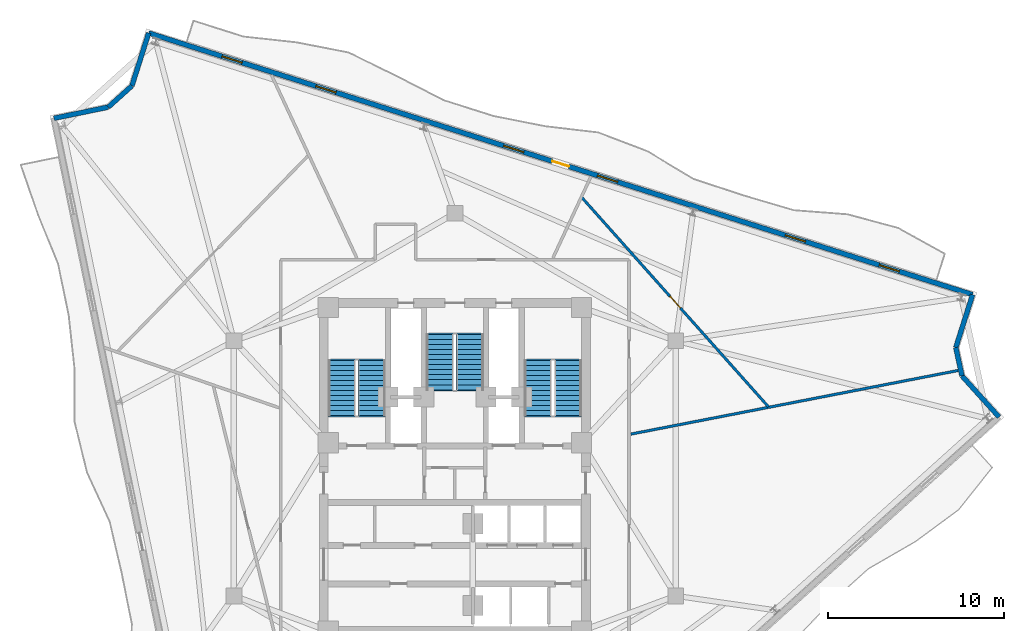
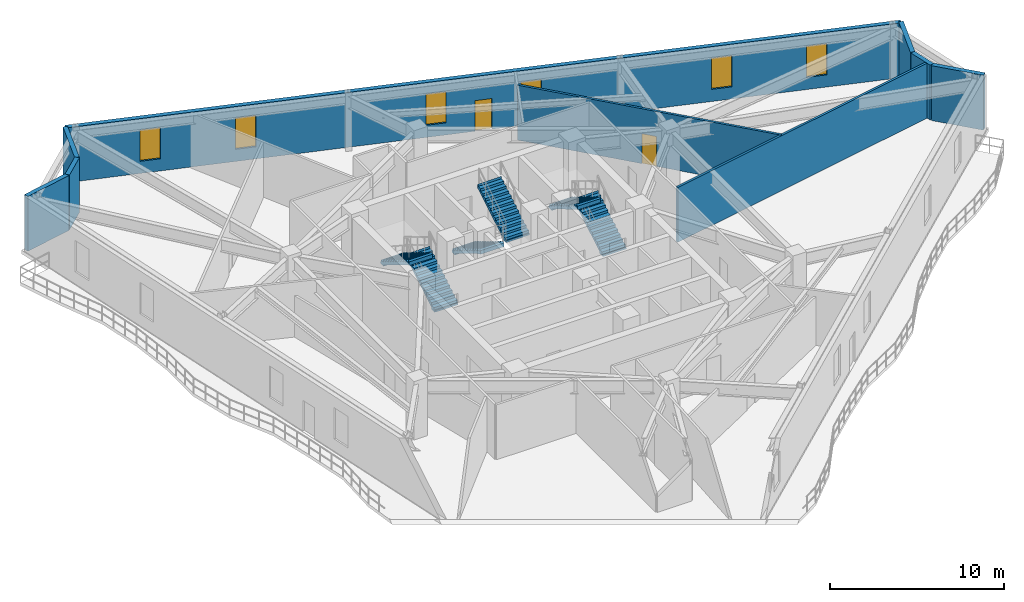
# One storey, part 8 of 12: 9 walls, 6 stair flights, 6 windows, 2 doors, 8 openings, 3 elements without a shape of their own.
"""IFC4 building model written with IfcOpenShell, lengths in metres."""

from ifc_helpers import new_model, si_unit, direction, frame, frame_2d, origin, place, context, subcontext, project, spatial, polyline, rectangle, outline, extrude, material, layer, layer_set, type_object, element, fill, aggregate, save


model = new_model("IFC4")

# Units and contexts
model_context = context("Model", 3, precision=1e-05, world=origin(), true_north=direction((0.0, 1.0)))
body_context = subcontext(model_context, "Body", "Model", "MODEL_VIEW")
ifc_project = project(units=[si_unit("LENGTHUNIT", "METRE"), si_unit("AREAUNIT", "SQUARE_METRE"), si_unit("VOLUMEUNIT", "CUBIC_METRE"), si_unit("PLANEANGLEUNIT", "RADIAN"), si_unit("MASSUNIT", "GRAM", prefix="KILO")], contexts=[model_context])

# Site, building, storey
site_placement = place(None, origin())
site = spatial("IfcSite", under=ifc_project, at=site_placement, CompositionType="ELEMENT")
building_placement = place(site_placement, origin())
building = spatial("IfcBuilding", under=site, at=building_placement, Name="Apsidion Concourse Tower", CompositionType="ELEMENT")
storey_placement = place(building_placement, frame((0.0, 0.0, 248.60009765625)))
storey = spatial("IfcBuildingStorey", under=building, at=storey_placement, Name="L58", CompositionType="ELEMENT", Elevation=248.60009765625)

# Wall, openings, door, windows
ifc_material_1 = material(Name="Precast concrete C40/50", Category="concrete")
ifc_layer_1 = layer(ifc_material_1, 0.280029296875)
ifc_layer_set_1 = layer_set([ifc_layer_1], Name="Precast concrete C40/50")
wall_type_1 = type_object("IfcWallType", Name="WL-EXT-280", PredefinedType="STANDARD", material=ifc_layer_set_1)
wall_1_placement = place(storey_placement, frame((-17.4072265625, 24.74755859375, 0.0), z_axis=(0.0, 0.0, 1.0), x_axis=(0.953082756031, -0.302709861346, 0.0)))
wall_1 = element("IfcWall", 1, at=wall_1_placement, inside=storey, type_object=wall_type_1, Name="L58 Precast Stone Facade Wall 01", PredefinedType="STANDARD", context=body_context, shape_type="SweptSolid", body=[
    extrude(rectangle(XDim=49.14501953125, YDim=0.280029296875, at=frame_2d((24.572509765625, 0.0))), origin(), (0.0, 0.0, 1.0), 3.849853515625),
])
opening_1_placement = place(wall_1_placement, frame((24.072509765625, 0.0, 0.0)))
opening_1 = element("IfcOpeningElement", 2, at=opening_1_placement, cuts=wall_1, Name="Opening D-T1L", PredefinedType="OPENING", context=body_context, shape_type="SweptSolid", body=[
    extrude(rectangle(XDim=1.0, YDim=2.14990234375, at=frame_2d((0.5, 1.074951171875))), frame((0.0, 0.14990234375, 0.0), z_axis=(0.0, -1.0, 0.0), x_axis=(1.0, 0.0, 0.0)), (0.0, 0.0, 1.0), 0.300048828125),
])
opening_2_placement = place(wall_1_placement, frame((4.37255859375, 0.0, 0.85009765625)))
opening_2 = element("IfcOpeningElement", 3, at=opening_2_placement, cuts=wall_1, Name="Opening WN-06", PredefinedType="OPENING", context=body_context, shape_type="SweptSolid", body=[
    extrude(rectangle(XDim=1.199951171875, YDim=2.199951171875, at=frame_2d((0.60009765625, 1.10009765625))), frame((0.0, 0.14990234375, 0.0), z_axis=(0.0, -1.0, 0.0), x_axis=(1.0, 0.0, 0.0)), (0.0, 0.0, 1.0), 0.300048828125),
])
opening_3_placement = place(wall_1_placement, frame((9.97265625, 0.0, 0.85009765625)))
opening_3 = element("IfcOpeningElement", 4, at=opening_3_placement, cuts=wall_1, Name="Opening WN-06", PredefinedType="OPENING", context=body_context, shape_type="SweptSolid", body=[
    extrude(rectangle(XDim=1.199951171875, YDim=2.199951171875, at=frame_2d((0.60009765625, 1.10009765625))), frame((0.0, 0.14990234375, 0.0), z_axis=(0.0, -1.0, 0.0), x_axis=(1.0, 0.0, 0.0)), (0.0, 0.0, 1.0), 0.300048828125),
])
opening_4_placement = place(wall_1_placement, frame((21.172607421875, 0.0, 0.85009765625)))
opening_4 = element("IfcOpeningElement", 5, at=opening_4_placement, cuts=wall_1, Name="Opening WN-06", PredefinedType="OPENING", context=body_context, shape_type="SweptSolid", body=[
    extrude(rectangle(XDim=1.199951171875, YDim=2.199951171875, at=frame_2d((0.60009765625, 1.10009765625))), frame((0.0, 0.14990234375, 0.0), z_axis=(0.0, -1.0, 0.0), x_axis=(1.0, 0.0, 0.0)), (0.0, 0.0, 1.0), 0.300048828125),
])
opening_5_placement = place(wall_1_placement, frame((26.772705078125, 0.0, 0.85009765625)))
opening_5 = element("IfcOpeningElement", 6, at=opening_5_placement, cuts=wall_1, Name="Opening WN-06", PredefinedType="OPENING", context=body_context, shape_type="SweptSolid", body=[
    extrude(rectangle(XDim=1.199951171875, YDim=2.199951171875, at=frame_2d((0.60009765625, 1.10009765625))), frame((0.0, 0.14990234375, 0.0), z_axis=(0.0, -1.0, 0.0), x_axis=(1.0, 0.0, 0.0)), (0.0, 0.0, 1.0), 0.300048828125),
])
opening_6_placement = place(wall_1_placement, frame((37.97265625, 0.0, 0.85009765625)))
opening_6 = element("IfcOpeningElement", 7, at=opening_6_placement, cuts=wall_1, Name="Opening WN-06", PredefinedType="OPENING", context=body_context, shape_type="SweptSolid", body=[
    extrude(rectangle(XDim=1.199951171875, YDim=2.199951171875, at=frame_2d((0.60009765625, 1.10009765625))), frame((0.0, 0.14990234375, 0.0), z_axis=(0.0, -1.0, 0.0), x_axis=(1.0, 0.0, 0.0)), (0.0, 0.0, 1.0), 0.300048828125),
])
opening_7_placement = place(wall_1_placement, frame((43.572509765625, 0.0, 0.85009765625)))
opening_7 = element("IfcOpeningElement", 8, at=opening_7_placement, cuts=wall_1, Name="Opening WN-06", PredefinedType="OPENING", context=body_context, shape_type="SweptSolid", body=[
    extrude(rectangle(XDim=1.199951171875, YDim=2.199951171875, at=frame_2d((0.60009765625, 1.10009765625))), frame((0.0, 0.14990234375, 0.0), z_axis=(0.0, -1.0, 0.0), x_axis=(1.0, 0.0, 0.0)), (0.0, 0.0, 1.0), 0.300048828125),
])
ifc_material_2 = material(Name="Anodised aluminium EN AW-6063 T6", Category="aluminium")
door_type_1 = type_object("IfcDoorType", Name="DR-TER-1022L", OperationType="SINGLE_SWING_LEFT", PredefinedType="DOOR", material=ifc_material_2)
door_1_placement = place(opening_1_placement, origin())
door_1 = element("IfcDoor", 9, at=door_1_placement, inside=storey, type_object=door_type_1, Name="L58 Balcony Access Door 3", OperationType="SINGLE_SWING_LEFT", OverallHeight=2.14990234375, OverallWidth=1.0, PredefinedType="DOOR", context=body_context, shape_type="SweptSolid", body=[
    extrude(rectangle(XDim=1.0, YDim=2.14990234375, at=frame_2d((0.5, 1.074951171875))), frame((0.0, 0.02490234375, 0.0), z_axis=(0.0, -1.0, 0.0), x_axis=(1.0, 0.0, 0.0)), (0.0, 0.0, 1.0), 0.050048828125),
])
fill(opening_1, door_1)
ifc_material_3 = material(Name="Insulated laminated low-E glass", Category="glass")
window_type = type_object("IfcWindowType", Name="WN-OFF-1224", PartitioningType="SINGLE_PANEL", PredefinedType="WINDOW", material=ifc_material_3)
window_1_placement = place(opening_2_placement, origin())
window_1 = element("IfcWindow", 10, at=window_1_placement, inside=storey, type_object=window_type, Name="L58 Punched Facade Window 1-01", OverallHeight=2.199951171875, OverallWidth=1.199951171875, PartitioningType="SINGLE_PANEL", PredefinedType="WINDOW", context=body_context, shape_type="SweptSolid", body=[
    extrude(rectangle(XDim=1.199951171875, YDim=2.199951171875, at=frame_2d((0.60009765625, 1.10009765625))), frame((0.0, 0.030029296875, 0.0), z_axis=(0.0, -1.0, 0.0), x_axis=(1.0, 0.0, 0.0)), (0.0, 0.0, 1.0), 0.06005859375),
])
fill(opening_2, window_1)
window_2_placement = place(opening_3_placement, origin())
window_2 = element("IfcWindow", 11, at=window_2_placement, inside=storey, type_object=window_type, Name="L58 Punched Facade Window 1-02", OverallHeight=2.199951171875, OverallWidth=1.199951171875, PartitioningType="SINGLE_PANEL", PredefinedType="WINDOW", context=body_context, shape_type="SweptSolid", body=[
    extrude(rectangle(XDim=1.199951171875, YDim=2.199951171875, at=frame_2d((0.60009765625, 1.10009765625))), frame((0.0, 0.030029296875, 0.0), z_axis=(0.0, -1.0, 0.0), x_axis=(1.0, 0.0, 0.0)), (0.0, 0.0, 1.0), 0.06005859375),
])
fill(opening_3, window_2)
window_3_placement = place(opening_4_placement, origin())
window_3 = element("IfcWindow", 12, at=window_3_placement, inside=storey, type_object=window_type, Name="L58 Punched Facade Window 1-04", OverallHeight=2.199951171875, OverallWidth=1.199951171875, PartitioningType="SINGLE_PANEL", PredefinedType="WINDOW", context=body_context, shape_type="SweptSolid", body=[
    extrude(rectangle(XDim=1.199951171875, YDim=2.199951171875, at=frame_2d((0.60009765625, 1.10009765625))), frame((0.0, 0.030029296875, 0.0), z_axis=(0.0, -1.0, 0.0), x_axis=(1.0, 0.0, 0.0)), (0.0, 0.0, 1.0), 0.06005859375),
])
fill(opening_4, window_3)
window_4_placement = place(opening_5_placement, origin())
window_4 = element("IfcWindow", 13, at=window_4_placement, inside=storey, type_object=window_type, Name="L58 Punched Facade Window 1-05", OverallHeight=2.199951171875, OverallWidth=1.199951171875, PartitioningType="SINGLE_PANEL", PredefinedType="WINDOW", context=body_context, shape_type="SweptSolid", body=[
    extrude(rectangle(XDim=1.199951171875, YDim=2.199951171875, at=frame_2d((0.60009765625, 1.10009765625))), frame((0.0, 0.030029296875, 0.0), z_axis=(0.0, -1.0, 0.0), x_axis=(1.0, 0.0, 0.0)), (0.0, 0.0, 1.0), 0.06005859375),
])
fill(opening_5, window_4)
window_5_placement = place(opening_6_placement, origin())
window_5 = element("IfcWindow", 14, at=window_5_placement, inside=storey, type_object=window_type, Name="L58 Punched Facade Window 1-07", OverallHeight=2.199951171875, OverallWidth=1.199951171875, PartitioningType="SINGLE_PANEL", PredefinedType="WINDOW", context=body_context, shape_type="SweptSolid", body=[
    extrude(rectangle(XDim=1.199951171875, YDim=2.199951171875, at=frame_2d((0.60009765625, 1.10009765625))), frame((0.0, 0.030029296875, 0.0), z_axis=(0.0, -1.0, 0.0), x_axis=(1.0, 0.0, 0.0)), (0.0, 0.0, 1.0), 0.06005859375),
])
fill(opening_6, window_5)
window_6_placement = place(opening_7_placement, origin())
window_6 = element("IfcWindow", 15, at=window_6_placement, inside=storey, type_object=window_type, Name="L58 Punched Facade Window 1-08", OverallHeight=2.199951171875, OverallWidth=1.199951171875, PartitioningType="SINGLE_PANEL", PredefinedType="WINDOW", context=body_context, shape_type="SweptSolid", body=[
    extrude(rectangle(XDim=1.199951171875, YDim=2.199951171875, at=frame_2d((0.60009765625, 1.10009765625))), frame((0.0, 0.030029296875, 0.0), z_axis=(0.0, -1.0, 0.0), x_axis=(1.0, 0.0, 0.0)), (0.0, 0.0, 1.0), 0.06005859375),
])
fill(opening_7, window_6)

# Walls
wall_2_placement = place(storey_placement, frame((29.43212890625, 9.870849609375, 0.0), z_axis=(0.0, 0.0, 1.0), x_axis=(-0.30264059672, -0.953104752489, 0.0)))
element("IfcWall", 16, at=wall_2_placement, inside=storey, type_object=wall_type_1, Name="L58 Precast Stone Facade Wall 02", PredefinedType="STANDARD", context=body_context, shape_type="SweptSolid", body=[
    extrude(rectangle(XDim=3.150146484375, YDim=0.280029296875, at=frame_2d((1.5751953125, 0.0))), origin(), (0.0, 0.0, 1.0), 3.849853515625),
])
wall_3_placement = place(storey_placement, frame((28.478759765625, 6.868408203125, 0.0), z_axis=(0.0, 0.0, 1.0), x_axis=(0.211126358094, -0.977458777094, 0.0)))
element("IfcWall", 17, at=wall_3_placement, inside=storey, type_object=wall_type_1, Name="L58 Precast Stone Facade Wall 03", PredefinedType="STANDARD", context=body_context, shape_type="SweptSolid", body=[
    extrude(rectangle(XDim=1.64892578125, YDim=0.280029296875, at=frame_2d((0.824462890625, 0.0))), origin(), (0.0, 0.0, 1.0), 3.849853515625),
])
wall_4_placement = place(storey_placement, frame((28.826904296875, 5.256591796875, 0.0), z_axis=(0.0, 0.0, 1.0), x_axis=(0.669127439782, -0.743147676663, 0.0)))
element("IfcWall", 18, at=wall_4_placement, inside=storey, type_object=wall_type_1, Name="L58 Precast Stone Facade Wall 04", PredefinedType="STANDARD", context=body_context, shape_type="SweptSolid", body=[
    extrude(rectangle(XDim=3.14990234375, YDim=0.280029296875, at=frame_2d((1.574951171875, 0.0))), origin(), (0.0, 0.0, 1.0), 3.849853515625),
])
wall_5_placement = place(storey_placement, frame((-22.79248046875, 19.898681640625, 0.0), z_axis=(0.0, 0.0, 1.0), x_axis=(0.979502474011, 0.201432131016, 0.0)))
element("IfcWall", 19, at=wall_5_placement, inside=storey, type_object=wall_type_1, Name="L58 Precast Stone Facade Wall 10", PredefinedType="STANDARD", context=body_context, shape_type="SweptSolid", body=[
    extrude(rectangle(XDim=3.1513671875, YDim=0.280029296875, at=frame_2d((1.57568359375, 0.0))), origin(), (0.0, 0.0, 1.0), 3.849853515625),
])
wall_6_placement = place(storey_placement, frame((-19.705810546875, 20.533447265625, 0.0), z_axis=(0.0, 0.0, 1.0), x_axis=(0.743173371482, 0.669098901449, 0.0)))
element("IfcWall", 20, at=wall_6_placement, inside=storey, type_object=wall_type_1, Name="L58 Precast Stone Facade Wall 11", PredefinedType="STANDARD", context=body_context, shape_type="SweptSolid", body=[
    extrude(rectangle(XDim=1.809326171875, YDim=0.280029296875, at=frame_2d((0.90478515625, 0.0))), origin(), (0.0, 0.0, 1.0), 3.849853515625),
])
wall_7_placement = place(storey_placement, frame((-18.361083984375, 21.744140625, 0.0), z_axis=(0.0, 0.0, 1.0), x_axis=(0.302691963624, 0.953088440365, 0.0)))
element("IfcWall", 21, at=wall_7_placement, inside=storey, type_object=wall_type_1, Name="L58 Precast Stone Facade Wall 12", PredefinedType="STANDARD", context=body_context, shape_type="SweptSolid", body=[
    extrude(rectangle(XDim=3.1513671875, YDim=0.280029296875, at=frame_2d((1.57568359375, 0.0))), origin(), (0.0, 0.0, 1.0), 3.849853515625),
])
ifc_material_4 = material(Name="Gypsum plasterboard partition")
ifc_layer_2 = layer(ifc_material_4, 0.14990234375)
ifc_layer_set_2 = layer_set([ifc_layer_2], Name="Gypsum plasterboard partition")
wall_type_2 = type_object("IfcWallType", Name="WL-INT-PAR-150", PredefinedType="PARTITIONING", material=ifc_layer_set_2)
wall_8_placement = place(storey_placement, frame((10.0048828125, 1.94482421875, 0.0), z_axis=(0.0, 0.0, 1.0), x_axis=(0.981627928787, 0.190805160896, 0.0)))
element("IfcWall", 22, at=wall_8_placement, inside=storey, type_object=wall_type_2, Name="L58 Interior Partition WL-L58-RAD-01-1", PredefinedType="PARTITIONING", context=body_context, shape_type="SweptSolid", body=[
    extrude(rectangle(XDim=18.946044921875, YDim=0.14990234375, at=frame_2d((9.47314453125, 0.0))), origin(), (0.0, 0.0, 1.0), 3.849853515625),
])

# Wall, opening, door
wall_9_placement = place(storey_placement, frame((17.830322265625, 3.4912109375, 0.0), z_axis=(0.0, 0.0, 1.0), x_axis=(-0.665420932844, 0.746468339672, 0.0)))
wall_9 = element("IfcWall", 23, at=wall_9_placement, inside=storey, type_object=wall_type_2, Name="L58 Interior Partition WL-L58-CHD-OFS04", PredefinedType="PARTITIONING", context=body_context, shape_type="SweptSolid", body=[
    extrude(rectangle(XDim=15.959228515625, YDim=0.14990234375, at=frame_2d((7.9794921875, 0.0))), origin(), (0.0, 0.0, 1.0), 3.849853515625),
])
opening_8_placement = place(wall_9_placement, frame((7.529541015625, 0.0, 0.0)))
opening_8 = element("IfcOpeningElement", 24, at=opening_8_placement, cuts=wall_9, Name="Opening D-02L", PredefinedType="OPENING", context=body_context, shape_type="SweptSolid", body=[
    extrude(rectangle(XDim=0.89990234375, YDim=2.10009765625, at=frame_2d((0.449951171875, 1.050048828125))), frame((0.0, 0.0849609375, 0.0), z_axis=(0.0, -1.0, 0.0), x_axis=(1.0, 0.0, 0.0)), (0.0, 0.0, 1.0), 0.169921875),
])
door_type_2 = type_object("IfcDoorType", Name="DR-INT-D02L", OperationType="SINGLE_SWING_LEFT", PredefinedType="DOOR", material=ifc_material_2)
door_2_placement = place(opening_8_placement, origin())
door_2 = element("IfcDoor", 25, at=door_2_placement, inside=storey, type_object=door_type_2, Name="L58 Suite Connecting Door OFS04", OperationType="SINGLE_SWING_LEFT", OverallHeight=2.10009765625, OverallWidth=0.89990234375, PredefinedType="DOOR", context=body_context, shape_type="SweptSolid", body=[
    extrude(rectangle(XDim=0.89990234375, YDim=2.10009765625, at=frame_2d((0.449951171875, 1.050048828125))), frame((0.0, 0.02490234375, 0.0), z_axis=(0.0, -1.0, 0.0), x_axis=(1.0, 0.0, 0.0)), (0.0, 0.0, 1.0), 0.050048828125),
])
fill(opening_8, door_2)

# Stair, stair flights
stair_type = type_object("IfcStairType", Name="ST-DL-1550", PredefinedType="HALF_TURN_STAIR", material=ifc_material_1)
stair_1_placement = place(storey_placement, origin())
stair_1 = element("IfcStair", 26, at=stair_1_placement, inside=storey, type_object=stair_type, Name="L58 Protected Core Exit Stair ST1", PredefinedType="HALF_TURN_STAIR")
stair_flight_type = type_object("IfcStairFlightType", Name="SFL-RC-1550", PredefinedType="STRAIGHT", material=ifc_material_1)
stair_flight_1_placement = place(storey_placement, frame((-4.72509765625, 3.0, 0.0), z_axis=(0.0, 0.0, 1.0), x_axis=(0.0, 1.0, 0.0)))
stair_flight_1 = element("IfcStairFlight", 27, at=stair_flight_1_placement, type_object=stair_flight_type, Name="ST1 flight 1", NumberOfRisers=12, NumberOfTreads=11, PredefinedType="STRAIGHT", RiserHeight=0.170833333, TreadLength=0.285, context=body_context, shape_type="SweptSolid", body=[
    extrude(outline(polyline([(-0.080078125, -0.1123046875), (-0.080078125, 0.0), (0.0, 0.0), (0.0, 0.1708984375), (0.284912109375, 0.1708984375), (0.284912109375, 0.341552734375), (0.570068359375, 0.341552734375), (0.570068359375, 0.512451171875), (0.85498046875, 0.512451171875), (0.85498046875, 0.683349609375), (1.139892578125, 0.683349609375), (1.139892578125, 0.854248046875), (1.425048828125, 0.854248046875), (1.425048828125, 1.02490234375), (1.7099609375, 1.02490234375), (1.7099609375, 1.19580078125), (1.9951171875, 1.19580078125), (1.9951171875, 1.36669921875), (2.280029296875, 1.36669921875), (2.280029296875, 1.53759765625), (2.56494140625, 1.53759765625), (2.56494140625, 1.708251953125), (2.85009765625, 1.708251953125), (2.85009765625, 1.879150390625), (3.135009765625, 1.879150390625), (3.135009765625, 2.050048828125), (3.215087890625, 1.964599609375), (3.215087890625, 1.704345703125), (3.135009765625, 1.704345703125), (0.29150390625, 0.0), (0.29150390625, -0.1123046875), (-0.080078125, -0.1123046875)])), frame((0.0, 0.77490234375, 0.0), z_axis=(0.0, -1.0, 0.0), x_axis=(1.0, 0.0, 0.0)), (0.0, 0.0, 1.0), 1.550048828125),
])
stair_flight_2_placement = place(storey_placement, frame((-6.425048828125, 6.135009765625, 2.0498046875), z_axis=(0.0, 0.0, 1.0), x_axis=(0.0, -1.0, 0.0)))
stair_flight_2 = element("IfcStairFlight", 28, at=stair_flight_2_placement, type_object=stair_flight_type, Name="ST1 flight 2", NumberOfRisers=12, NumberOfTreads=11, PredefinedType="STRAIGHT", RiserHeight=0.170833333, TreadLength=0.285, context=body_context, shape_type="SweptSolid", body=[
    extrude(outline(polyline([(-0.080078125, -0.1123046875), (-0.080078125, 0.0), (0.0, 0.0), (0.0, 0.1708984375), (0.284912109375, 0.1708984375), (0.284912109375, 0.341552734375), (0.570068359375, 0.341552734375), (0.570068359375, 0.512451171875), (0.85498046875, 0.512451171875), (0.85498046875, 0.683349609375), (1.139892578125, 0.683349609375), (1.139892578125, 0.854248046875), (1.425048828125, 0.854248046875), (1.425048828125, 1.02490234375), (1.7099609375, 1.02490234375), (1.7099609375, 1.19580078125), (1.9951171875, 1.19580078125), (1.9951171875, 1.36669921875), (2.280029296875, 1.36669921875), (2.280029296875, 1.53759765625), (2.56494140625, 1.53759765625), (2.56494140625, 1.708251953125), (2.85009765625, 1.708251953125), (2.85009765625, 1.879150390625), (3.135009765625, 1.879150390625), (3.135009765625, 2.050048828125), (3.215087890625, 1.964599609375), (3.215087890625, 1.704345703125), (3.135009765625, 1.704345703125), (0.29150390625, 0.0), (0.29150390625, -0.1123046875), (-0.080078125, -0.1123046875)])), frame((0.0, 0.77490234375, 0.0), z_axis=(0.0, -1.0, 0.0), x_axis=(1.0, 0.0, 0.0)), (0.0, 0.0, 1.0), 1.550048828125),
])
aggregate(stair_1, [stair_flight_1, stair_flight_2])

stair_2_placement = place(storey_placement, origin())
stair_2 = element("IfcStair", 29, at=stair_2_placement, inside=storey, type_object=stair_type, Name="L58 Protected Core Exit Stair ST2", PredefinedType="HALF_TURN_STAIR")
stair_flight_3_placement = place(storey_placement, frame((6.425048828125, 3.0, 0.0), z_axis=(0.0, 0.0, 1.0), x_axis=(0.0, 1.0, 0.0)))
stair_flight_3 = element("IfcStairFlight", 30, at=stair_flight_3_placement, type_object=stair_flight_type, Name="ST2 flight 1", NumberOfRisers=12, NumberOfTreads=11, PredefinedType="STRAIGHT", RiserHeight=0.170833333, TreadLength=0.285, context=body_context, shape_type="SweptSolid", body=[
    extrude(outline(polyline([(-0.080078125, -0.1123046875), (-0.080078125, 0.0), (0.0, 0.0), (0.0, 0.1708984375), (0.284912109375, 0.1708984375), (0.284912109375, 0.341552734375), (0.570068359375, 0.341552734375), (0.570068359375, 0.512451171875), (0.85498046875, 0.512451171875), (0.85498046875, 0.683349609375), (1.139892578125, 0.683349609375), (1.139892578125, 0.854248046875), (1.425048828125, 0.854248046875), (1.425048828125, 1.02490234375), (1.7099609375, 1.02490234375), (1.7099609375, 1.19580078125), (1.9951171875, 1.19580078125), (1.9951171875, 1.36669921875), (2.280029296875, 1.36669921875), (2.280029296875, 1.53759765625), (2.56494140625, 1.53759765625), (2.56494140625, 1.708251953125), (2.85009765625, 1.708251953125), (2.85009765625, 1.879150390625), (3.135009765625, 1.879150390625), (3.135009765625, 2.050048828125), (3.215087890625, 1.964599609375), (3.215087890625, 1.704345703125), (3.135009765625, 1.704345703125), (0.29150390625, 0.0), (0.29150390625, -0.1123046875), (-0.080078125, -0.1123046875)])), frame((0.0, 0.77490234375, 0.0), z_axis=(0.0, -1.0, 0.0), x_axis=(1.0, 0.0, 0.0)), (0.0, 0.0, 1.0), 1.550048828125),
])
stair_flight_4_placement = place(storey_placement, frame((4.72509765625, 6.135009765625, 2.0498046875), z_axis=(0.0, 0.0, 1.0), x_axis=(0.0, -1.0, 0.0)))
stair_flight_4 = element("IfcStairFlight", 31, at=stair_flight_4_placement, type_object=stair_flight_type, Name="ST2 flight 2", NumberOfRisers=12, NumberOfTreads=11, PredefinedType="STRAIGHT", RiserHeight=0.170833333, TreadLength=0.285, context=body_context, shape_type="SweptSolid", body=[
    extrude(outline(polyline([(-0.080078125, -0.1123046875), (-0.080078125, 0.0), (0.0, 0.0), (0.0, 0.1708984375), (0.284912109375, 0.1708984375), (0.284912109375, 0.341552734375), (0.570068359375, 0.341552734375), (0.570068359375, 0.512451171875), (0.85498046875, 0.512451171875), (0.85498046875, 0.683349609375), (1.139892578125, 0.683349609375), (1.139892578125, 0.854248046875), (1.425048828125, 0.854248046875), (1.425048828125, 1.02490234375), (1.7099609375, 1.02490234375), (1.7099609375, 1.19580078125), (1.9951171875, 1.19580078125), (1.9951171875, 1.36669921875), (2.280029296875, 1.36669921875), (2.280029296875, 1.53759765625), (2.56494140625, 1.53759765625), (2.56494140625, 1.708251953125), (2.85009765625, 1.708251953125), (2.85009765625, 1.879150390625), (3.135009765625, 1.879150390625), (3.135009765625, 2.050048828125), (3.215087890625, 1.964599609375), (3.215087890625, 1.704345703125), (3.135009765625, 1.704345703125), (0.29150390625, 0.0), (0.29150390625, -0.1123046875), (-0.080078125, -0.1123046875)])), frame((0.0, 0.77490234375, 0.0), z_axis=(0.0, -1.0, 0.0), x_axis=(1.0, 0.0, 0.0)), (0.0, 0.0, 1.0), 1.550048828125),
])
aggregate(stair_2, [stair_flight_3, stair_flight_4])

stair_3_placement = place(storey_placement, origin())
stair_3 = element("IfcStair", 32, at=stair_3_placement, inside=storey, type_object=stair_type, Name="L58 Protected Core Exit Stair ST3", PredefinedType="HALF_TURN_STAIR")
stair_flight_5_placement = place(storey_placement, frame((-0.85009765625, 7.60009765625, 0.0), z_axis=(0.0, 0.0, 1.0), x_axis=(0.0, -1.0, 0.0)))
stair_flight_5 = element("IfcStairFlight", 33, at=stair_flight_5_placement, type_object=stair_flight_type, Name="ST3 flight 1", NumberOfRisers=12, NumberOfTreads=11, PredefinedType="STRAIGHT", RiserHeight=0.170833333, TreadLength=0.285, context=body_context, shape_type="SweptSolid", body=[
    extrude(outline(polyline([(-0.080078125, -0.1123046875), (-0.080078125, 0.0), (0.0, 0.0), (0.0, 0.1708984375), (0.284912109375, 0.1708984375), (0.284912109375, 0.341552734375), (0.570068359375, 0.341552734375), (0.570068359375, 0.512451171875), (0.85498046875, 0.512451171875), (0.85498046875, 0.683349609375), (1.139892578125, 0.683349609375), (1.139892578125, 0.854248046875), (1.425048828125, 0.854248046875), (1.425048828125, 1.02490234375), (1.7099609375, 1.02490234375), (1.7099609375, 1.19580078125), (1.9951171875, 1.19580078125), (1.9951171875, 1.36669921875), (2.280029296875, 1.36669921875), (2.280029296875, 1.53759765625), (2.56494140625, 1.53759765625), (2.56494140625, 1.708251953125), (2.85009765625, 1.708251953125), (2.85009765625, 1.879150390625), (3.135009765625, 1.879150390625), (3.135009765625, 2.050048828125), (3.215087890625, 1.964599609375), (3.215087890625, 1.704345703125), (3.135009765625, 1.704345703125), (0.29150390625, 0.0), (0.29150390625, -0.1123046875), (-0.080078125, -0.1123046875)])), frame((0.0, 0.77490234375, 0.0), z_axis=(0.0, -1.0, 0.0), x_axis=(1.0, 0.0, 0.0)), (0.0, 0.0, 1.0), 1.550048828125),
])
stair_flight_6_placement = place(storey_placement, frame((0.85009765625, 4.465087890625, 2.0498046875), z_axis=(0.0, 0.0, 1.0), x_axis=(0.0, 1.0, 0.0)))
stair_flight_6 = element("IfcStairFlight", 34, at=stair_flight_6_placement, type_object=stair_flight_type, Name="ST3 flight 2", NumberOfRisers=12, NumberOfTreads=11, PredefinedType="STRAIGHT", RiserHeight=0.170833333, TreadLength=0.285, context=body_context, shape_type="SweptSolid", body=[
    extrude(outline(polyline([(-0.080078125, -0.1123046875), (-0.080078125, 0.0), (0.0, 0.0), (0.0, 0.1708984375), (0.284912109375, 0.1708984375), (0.284912109375, 0.341552734375), (0.570068359375, 0.341552734375), (0.570068359375, 0.512451171875), (0.85498046875, 0.512451171875), (0.85498046875, 0.683349609375), (1.139892578125, 0.683349609375), (1.139892578125, 0.854248046875), (1.425048828125, 0.854248046875), (1.425048828125, 1.02490234375), (1.7099609375, 1.02490234375), (1.7099609375, 1.19580078125), (1.9951171875, 1.19580078125), (1.9951171875, 1.36669921875), (2.280029296875, 1.36669921875), (2.280029296875, 1.53759765625), (2.56494140625, 1.53759765625), (2.56494140625, 1.708251953125), (2.85009765625, 1.708251953125), (2.85009765625, 1.879150390625), (3.135009765625, 1.879150390625), (3.135009765625, 2.050048828125), (3.215087890625, 1.964599609375), (3.215087890625, 1.704345703125), (3.135009765625, 1.704345703125), (0.29150390625, 0.0), (0.29150390625, -0.1123046875), (-0.080078125, -0.1123046875)])), frame((0.0, 0.77490234375, 0.0), z_axis=(0.0, -1.0, 0.0), x_axis=(1.0, 0.0, 0.0)), (0.0, 0.0, 1.0), 1.550048828125),
])
aggregate(stair_3, [stair_flight_5, stair_flight_6])

save(model, "model.ifc")
